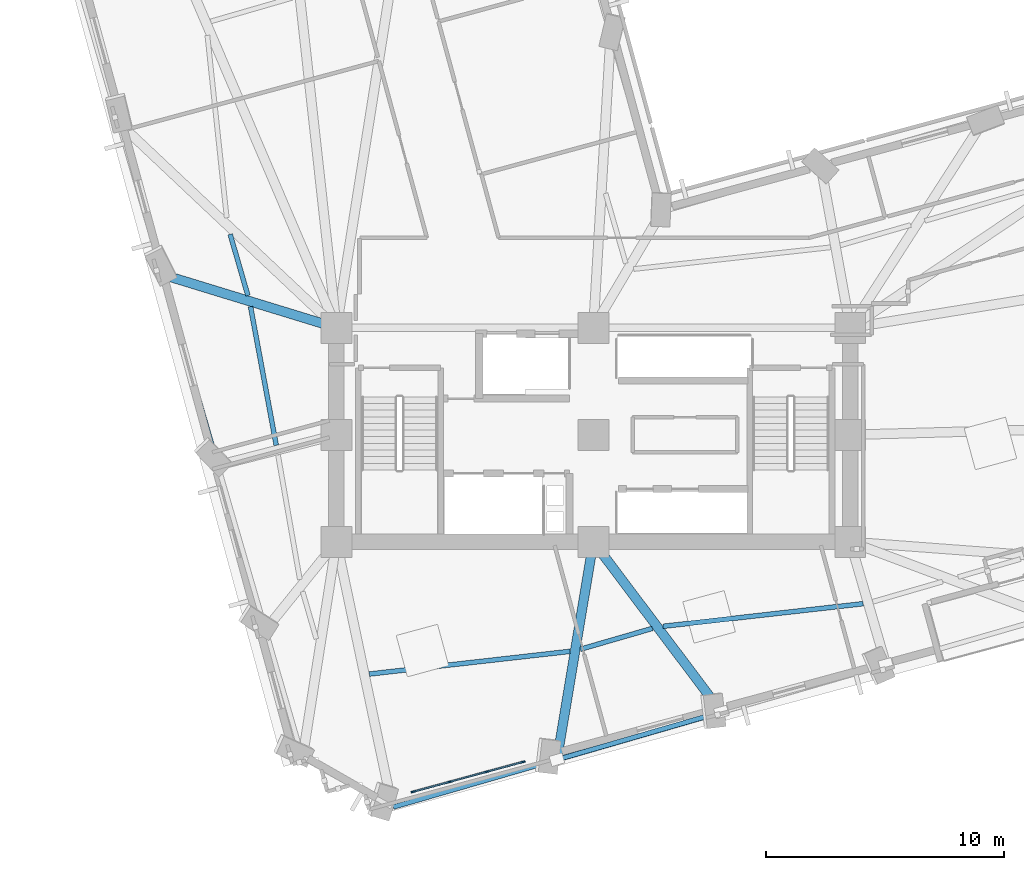
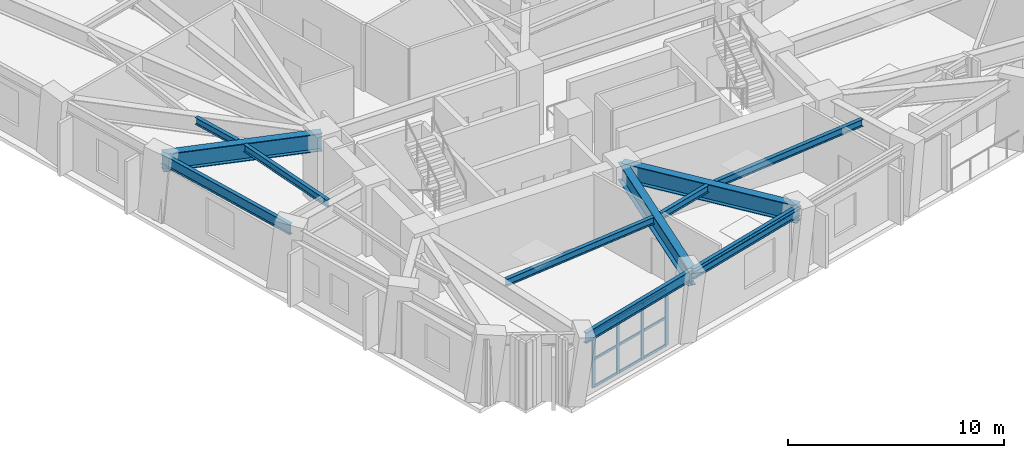
# One storey, part 2 of 15: 14 members, 11 beams, 1 element without a shape of its own.
"""IFC4 building model written with IfcOpenShell, lengths in metres."""

from ifc_helpers import new_model, si_unit, direction, frame, origin, origin_2d, place, context, subcontext, project, spatial, rectangle, hollow_circle, i_section, extrude, material, material_profile, profile_set, type_object, element, aggregate, save


model = new_model("IFC4")

# Units and contexts
model_context = context("Model", 3, precision=1e-05, world=origin(), true_north=direction((0.0, 1.0)))
body_context = subcontext(model_context, "Body", "Model", "MODEL_VIEW")
ifc_project = project(units=[si_unit("LENGTHUNIT", "METRE"), si_unit("AREAUNIT", "SQUARE_METRE"), si_unit("VOLUMEUNIT", "CUBIC_METRE"), si_unit("PLANEANGLEUNIT", "RADIAN"), si_unit("MASSUNIT", "GRAM", prefix="KILO")], contexts=[model_context])

# Site, building, storey
site_placement = place(None, origin())
site = spatial("IfcSite", under=ifc_project, at=site_placement, CompositionType="ELEMENT")
building_placement = place(site_placement, origin())
building = spatial("IfcBuilding", under=site, at=building_placement, Name="Gaonmaruhae Medical Tower", CompositionType="ELEMENT")
storey_placement = place(building_placement, frame((0.0, 0.0, 88.39990234375)))
storey = spatial("IfcBuildingStorey", under=building, at=storey_placement, Name="L20", CompositionType="ELEMENT", Elevation=88.39990234375)

# Beams
ifc_material_1 = material(Name="Steel SM420", Category="steel")
ifc_material_profile_1 = material_profile(ifc_material_1, i_section(OverallWidth=0.39990234375, OverallDepth=1.0, WebThickness=0.02197265625, FlangeThickness=0.035888671875, at=origin_2d()), Name="BH-1000x400x22x36")
ifc_profile_set_1 = profile_set([ifc_material_profile_1], Name="Steel SM420")
beam_type_1 = type_object("IfcBeamType", Name="BG-02 Refuge Floor Primary Girder (BH-1000x400x22x36)", PredefinedType="BEAM", material=ifc_profile_set_1)
beam_1_placement = place(storey_placement, frame((24.791748046875, 7.750732421875, 3.280029296875), z_axis=(-0.165062842791, -0.986283051628, 0.0), x_axis=(0.986283051628, -0.165062842791, 0.0)))
element("IfcBeam", 1, at=beam_1_placement, inside=storey, type_object=beam_type_1, Name="L20 Radial Primary Girder S02", PredefinedType="BEAM", context=body_context, shape_type="SweptSolid", body=[
    extrude(i_section(OverallWidth=0.39990234375, OverallDepth=1.0, WebThickness=0.02197265625, FlangeThickness=0.035888671875, at=origin_2d()), origin(), (0.0, 0.0, 1.0), 9.18359375),
])
beam_2_placement = place(storey_placement, frame((24.830078125, 7.760009765625, 3.280029296875), z_axis=(0.601327305373, -0.799002798376, 0.0), x_axis=(0.799002798376, 0.601327305373, 0.0)))
element("IfcBeam", 2, at=beam_2_placement, inside=storey, type_object=beam_type_1, Name="L20 Radial Primary Girder S03", PredefinedType="BEAM", context=body_context, shape_type="SweptSolid", body=[
    extrude(i_section(OverallWidth=0.39990234375, OverallDepth=1.0, WebThickness=0.02197265625, FlangeThickness=0.035888671875, at=origin_2d()), origin(), (0.0, 0.0, 1.0), 8.852783203125),
])
beam_3_placement = place(storey_placement, frame((13.9521484375, 16.814697265625, 3.280029296875), z_axis=(-0.956188123734, 0.292752919762, 0.0), x_axis=(-0.292752919762, -0.956188123734, 0.0)))
element("IfcBeam", 3, at=beam_3_placement, inside=storey, type_object=beam_type_1, Name="L20 Radial Primary Girder W04", PredefinedType="BEAM", context=body_context, shape_type="SweptSolid", body=[
    extrude(i_section(OverallWidth=0.39990234375, OverallDepth=1.0, WebThickness=0.02197265625, FlangeThickness=0.035888671875, at=origin_2d()), origin(), (0.0, 0.0, 1.0), 7.5439453125),
])

# Curtain wall, members
ifc_material_2 = material(Name="Anodised aluminium and Low-E double glazing", Category="aluminium")
curtain_wall_type = type_object("IfcCurtainWallType", Name="CW-S4 Setback Sky Garden Wintergarden Curtain Wall", PredefinedType="NOTDEFINED", material=ifc_material_2)
curtain_wall_placement = place(storey_placement, origin())
curtain_wall = element("IfcCurtainWall", 4, at=curtain_wall_placement, inside=storey, type_object=curtain_wall_type, Name="L20 Curtain Wall CW-L20-S01", PredefinedType="NOTDEFINED")
ifc_material_3 = material(Name="Anodised aluminium 6063-T6", Category="aluminium")
ifc_material_profile_2 = material_profile(ifc_material_3, rectangle(XDim=0.06494140625, YDim=0.179931640625, at=origin_2d()), Name="CWM-65x180")
ifc_profile_set_2 = profile_set([ifc_material_profile_2], Name="Anodised aluminium 6063-T6")
member_type_1 = type_object("IfcMemberType", Name="CWM-2 Tower Feature Curtain Wall Mullion (CWM-65x180)", PredefinedType="MULLION", material=ifc_profile_set_2)
member_1_placement = place(storey_placement, frame((21.8466796875, -1.449951171875, 0.0), z_axis=(0.0, 0.0, 1.0), x_axis=(0.262186152189, -0.965017316736, 0.0)))
member_1 = element("IfcMember", 5, at=member_1_placement, type_object=member_type_1, Name="CW-S4 mullion 1", PredefinedType="MULLION", context=body_context, shape_type="SweptSolid", body=[
    extrude(rectangle(XDim=0.06494140625, YDim=0.179931640625, at=origin_2d()), origin(), (0.0, 0.0, 1.0), 3.1650390625),
])
member_2_placement = place(storey_placement, frame((20.317138671875, -1.865478515625, 0.0), z_axis=(0.0, 0.0, 1.0), x_axis=(0.262186152189, -0.965017316736, 0.0)))
member_2 = element("IfcMember", 6, at=member_2_placement, type_object=member_type_1, Name="CW-S4 mullion 2", PredefinedType="MULLION", context=body_context, shape_type="SweptSolid", body=[
    extrude(rectangle(XDim=0.06494140625, YDim=0.179931640625, at=origin_2d()), origin(), (0.0, 0.0, 1.0), 3.1650390625),
])
member_3_placement = place(storey_placement, frame((18.756103515625, -2.28955078125, 0.0), z_axis=(0.0, 0.0, 1.0), x_axis=(0.262186152189, -0.965017316736, 0.0)))
member_3 = element("IfcMember", 7, at=member_3_placement, type_object=member_type_1, Name="CW-S4 mullion 3", PredefinedType="MULLION", context=body_context, shape_type="SweptSolid", body=[
    extrude(rectangle(XDim=0.06494140625, YDim=0.179931640625, at=origin_2d()), origin(), (0.0, 0.0, 1.0), 3.1650390625),
])
member_4_placement = place(storey_placement, frame((17.2265625, -2.705078125, 0.0), z_axis=(0.0, 0.0, 1.0), x_axis=(0.262186152189, -0.965017316736, 0.0)))
member_4 = element("IfcMember", 8, at=member_4_placement, type_object=member_type_1, Name="CW-S4 mullion 4", PredefinedType="MULLION", context=body_context, shape_type="SweptSolid", body=[
    extrude(rectangle(XDim=0.06494140625, YDim=0.179931640625, at=origin_2d()), origin(), (0.0, 0.0, 1.0), 3.1650390625),
])
ifc_material_profile_3 = material_profile(ifc_material_3, rectangle(XDim=0.06494140625, YDim=0.139892578125, at=origin_2d()), Name="CWT-65x140")
ifc_profile_set_3 = profile_set([ifc_material_profile_3], Name="Anodised aluminium 6063-T6")
member_type_2 = type_object("IfcMemberType", Name="CWT-2 Tower Feature Curtain Wall Transom (CWT-65x140)", PredefinedType="USERDEFINED", material=ifc_profile_set_3)
member_5_placement = place(storey_placement, frame((21.815185546875, -1.45849609375, 0.03271484375), z_axis=(-0.965030208239, -0.262138698376, 0.0), x_axis=(0.262138698376, -0.965030208239, 0.0)))
member_5 = element("IfcMember", 9, at=member_5_placement, type_object=member_type_2, Name="CW-S4 transom 1.1", ObjectType="TRANSOM", PredefinedType="USERDEFINED", context=body_context, shape_type="SweptSolid", body=[
    extrude(rectangle(XDim=0.06494140625, YDim=0.139892578125, at=origin_2d()), origin(), (0.0, 0.0, 1.0), 1.52001953125),
])
member_6_placement = place(storey_placement, frame((21.815185546875, -1.45849609375, 1.58251953125), z_axis=(-0.965030208239, -0.262138698376, 0.0), x_axis=(0.262138698376, -0.965030208239, 0.0)))
member_6 = element("IfcMember", 10, at=member_6_placement, type_object=member_type_2, Name="CW-S4 transom 1.2", ObjectType="TRANSOM", PredefinedType="USERDEFINED", context=body_context, shape_type="SweptSolid", body=[
    extrude(rectangle(XDim=0.06494140625, YDim=0.139892578125, at=origin_2d()), origin(), (0.0, 0.0, 1.0), 1.52001953125),
])
member_7_placement = place(storey_placement, frame((21.815185546875, -1.45849609375, 3.132568359375), z_axis=(-0.965030208239, -0.262138698376, 0.0), x_axis=(0.262138698376, -0.965030208239, 0.0)))
member_7 = element("IfcMember", 11, at=member_7_placement, type_object=member_type_2, Name="CW-S4 transom 1.3", ObjectType="TRANSOM", PredefinedType="USERDEFINED", context=body_context, shape_type="SweptSolid", body=[
    extrude(rectangle(XDim=0.06494140625, YDim=0.139892578125, at=origin_2d()), origin(), (0.0, 0.0, 1.0), 1.52001953125),
])
member_8_placement = place(storey_placement, frame((20.28564453125, -1.8740234375, 0.03271484375), z_axis=(-0.965031850243, -0.262132653472, 0.0), x_axis=(0.262132653472, -0.965031850243, 0.0)))
member_8 = element("IfcMember", 12, at=member_8_placement, type_object=member_type_2, Name="CW-S4 transom 2.1", ObjectType="TRANSOM", PredefinedType="USERDEFINED", context=body_context, shape_type="SweptSolid", body=[
    extrude(rectangle(XDim=0.06494140625, YDim=0.139892578125, at=origin_2d()), origin(), (0.0, 0.0, 1.0), 1.552490234375),
])
member_9_placement = place(storey_placement, frame((20.28564453125, -1.8740234375, 1.58251953125), z_axis=(-0.965031850243, -0.262132653472, 0.0), x_axis=(0.262132653472, -0.965031850243, 0.0)))
member_9 = element("IfcMember", 13, at=member_9_placement, type_object=member_type_2, Name="CW-S4 transom 2.2", ObjectType="TRANSOM", PredefinedType="USERDEFINED", context=body_context, shape_type="SweptSolid", body=[
    extrude(rectangle(XDim=0.06494140625, YDim=0.139892578125, at=origin_2d()), origin(), (0.0, 0.0, 1.0), 1.552490234375),
])
member_10_placement = place(storey_placement, frame((20.28564453125, -1.8740234375, 3.132568359375), z_axis=(-0.965031850243, -0.262132653472, 0.0), x_axis=(0.262132653472, -0.965031850243, 0.0)))
member_10 = element("IfcMember", 14, at=member_10_placement, type_object=member_type_2, Name="CW-S4 transom 2.3", ObjectType="TRANSOM", PredefinedType="USERDEFINED", context=body_context, shape_type="SweptSolid", body=[
    extrude(rectangle(XDim=0.06494140625, YDim=0.139892578125, at=origin_2d()), origin(), (0.0, 0.0, 1.0), 1.552490234375),
])
member_11_placement = place(storey_placement, frame((18.724609375, -2.298095703125, 0.03271484375), z_axis=(-0.96498956497, -0.262288275565, 0.0), x_axis=(0.262288275565, -0.96498956497, 0.0)))
member_11 = element("IfcMember", 15, at=member_11_placement, type_object=member_type_2, Name="CW-S4 transom 3.1", ObjectType="TRANSOM", PredefinedType="USERDEFINED", context=body_context, shape_type="SweptSolid", body=[
    extrude(rectangle(XDim=0.06494140625, YDim=0.139892578125, at=origin_2d()), origin(), (0.0, 0.0, 1.0), 1.52001953125),
])
member_12_placement = place(storey_placement, frame((18.724609375, -2.298095703125, 1.58251953125), z_axis=(-0.96498956497, -0.262288275565, 0.0), x_axis=(0.262288275565, -0.96498956497, 0.0)))
member_12 = element("IfcMember", 16, at=member_12_placement, type_object=member_type_2, Name="CW-S4 transom 3.2", ObjectType="TRANSOM", PredefinedType="USERDEFINED", context=body_context, shape_type="SweptSolid", body=[
    extrude(rectangle(XDim=0.06494140625, YDim=0.139892578125, at=origin_2d()), origin(), (0.0, 0.0, 1.0), 1.52001953125),
])
member_13_placement = place(storey_placement, frame((18.724609375, -2.298095703125, 3.132568359375), z_axis=(-0.96498956497, -0.262288275565, 0.0), x_axis=(0.262288275565, -0.96498956497, 0.0)))
member_13 = element("IfcMember", 17, at=member_13_placement, type_object=member_type_2, Name="CW-S4 transom 3.3", ObjectType="TRANSOM", PredefinedType="USERDEFINED", context=body_context, shape_type="SweptSolid", body=[
    extrude(rectangle(XDim=0.06494140625, YDim=0.139892578125, at=origin_2d()), origin(), (0.0, 0.0, 1.0), 1.52001953125),
])
aggregate(curtain_wall, [member_1, member_2, member_3, member_4, member_5, member_6, member_7, member_8, member_9, member_10, member_11, member_12, member_13])

# Beams
ifc_material_4 = material(Name="Steel SM355", Category="steel")
ifc_material_profile_4 = material_profile(ifc_material_4, i_section(OverallWidth=0.199951171875, OverallDepth=0.39990234375, WebThickness=0.008056640625, FlangeThickness=0.012939453125, FilletRadius=0.012939453125, at=origin_2d()), Name="H-400x200x8x13")
ifc_profile_set_4 = profile_set([ifc_material_profile_4], Name="Steel SM355")
beam_type_2 = type_object("IfcBeamType", Name="FJ-01 Lower Zone Ward Floor Joist (H-400x200x8x13)", PredefinedType="JOIST", material=ifc_profile_set_4)
beam_4_placement = place(storey_placement, frame((15.381591796875, 2.243896484375, 3.580078125), z_axis=(0.99367374448, 0.112305340614, 0.0), x_axis=(-0.112305340614, 0.99367374448, 0.0)))
element("IfcBeam", 18, at=beam_4_placement, inside=storey, type_object=beam_type_2, Name="L20 Secondary Floor Joist FJ01", PredefinedType="JOIST", context=body_context, shape_type="SweptSolid", body=[
    extrude(i_section(OverallWidth=0.199951171875, OverallDepth=0.39990234375, WebThickness=0.008056640625, FlangeThickness=0.012939453125, FilletRadius=0.012939453125, at=origin_2d()), origin(), (0.0, 0.0, 1.0), 8.493408203125),
])
beam_5_placement = place(storey_placement, frame((24.252685546875, 3.285400390625, 3.580078125), z_axis=(0.960544664258, 0.278125777242, 0.0), x_axis=(-0.278125777242, 0.960544664258, 0.0)))
element("IfcBeam", 19, at=beam_5_placement, inside=storey, type_object=beam_type_2, Name="L20 Secondary Floor Joist FJ02", PredefinedType="JOIST", context=body_context, shape_type="SweptSolid", body=[
    extrude(i_section(OverallWidth=0.199951171875, OverallDepth=0.39990234375, WebThickness=0.008056640625, FlangeThickness=0.012939453125, FilletRadius=0.012939453125, at=origin_2d()), origin(), (0.0, 0.0, 1.0), 3.152099609375),
])
beam_6_placement = place(storey_placement, frame((27.728515625, 4.25, 3.580078125), z_axis=(0.993670226477, 0.112336463419, 0.0), x_axis=(-0.112336463419, 0.993670226477, 0.0)))
element("IfcBeam", 20, at=beam_6_placement, inside=storey, type_object=beam_type_2, Name="L20 Secondary Floor Joist FJ03", PredefinedType="JOIST", context=body_context, shape_type="SweptSolid", body=[
    extrude(i_section(OverallWidth=0.199951171875, OverallDepth=0.39990234375, WebThickness=0.008056640625, FlangeThickness=0.012939453125, FilletRadius=0.012939453125, at=origin_2d()), origin(), (0.0, 0.0, 1.0), 8.46728515625),
])
beam_7_placement = place(storey_placement, frame((9.53173828125, 20.72900390625, 3.580078125), z_axis=(0.278135472731, -0.960541856875, 0.0), x_axis=(0.960541856875, 0.278135472731, 0.0)))
element("IfcBeam", 21, at=beam_7_placement, inside=storey, type_object=beam_type_2, Name="L20 Secondary Floor Joist FJ17", PredefinedType="JOIST", context=body_context, shape_type="SweptSolid", body=[
    extrude(i_section(OverallWidth=0.199951171875, OverallDepth=0.39990234375, WebThickness=0.008056640625, FlangeThickness=0.012939453125, FilletRadius=0.012939453125, at=origin_2d()), origin(), (0.0, 0.0, 1.0), 2.6806640625),
])
beam_8_placement = place(storey_placement, frame((10.3876953125, 17.691162109375, 3.580078125), z_axis=(0.182373833998, -0.983229263536, 0.0), x_axis=(0.983229263536, 0.182373833998, 0.0)))
element("IfcBeam", 22, at=beam_8_placement, inside=storey, type_object=beam_type_2, Name="L20 Secondary Floor Joist FJ18", PredefinedType="JOIST", context=body_context, shape_type="SweptSolid", body=[
    extrude(i_section(OverallWidth=0.199951171875, OverallDepth=0.39990234375, WebThickness=0.008056640625, FlangeThickness=0.012939453125, FilletRadius=0.012939453125, at=origin_2d()), origin(), (0.0, 0.0, 1.0), 5.928955078125),
])

# Member
ifc_material_profile_5 = material_profile(ifc_material_4, hollow_circle(Radius=0.108154296875, WallThickness=0.00830078125, at=origin_2d()), Name="CHS-216.3x8.2")
ifc_profile_set_5 = profile_set([ifc_material_profile_5], Name="Steel SM355")
member_type_3 = type_object("IfcMemberType", Name="PR-03 Sky Garden Pergola Purlin (CHS-216.3x8.2)", PredefinedType="PURLIN", material=ifc_profile_set_5)
member_14_placement = place(storey_placement, frame((23.267578125, -1.356201171875, 3.625), z_axis=(0.960538997545, 0.278145347249, 0.0), x_axis=(-0.267168837793, 0.922633041205, 0.278152985584)))
element("IfcMember", 23, at=member_14_placement, inside=storey, type_object=member_type_3, Name="L20 Sky Garden Pergola Purlin 1", PredefinedType="PURLIN", context=body_context, shape_type="SweptSolid", body=[
    extrude(hollow_circle(Radius=0.108154296875, WallThickness=0.00830078125, at=origin_2d()), origin(), (0.0, 0.0, 1.0), 7.2001953125),
])

# Beams
ifc_material_profile_6 = material_profile(ifc_material_4, i_section(OverallWidth=0.199951171875, OverallDepth=0.60009765625, WebThickness=0.010986328125, FlangeThickness=0.01708984375, FilletRadius=0.012939453125, at=origin_2d()), Name="H-600x200x11x17")
ifc_profile_set_6 = profile_set([ifc_material_profile_6], Name="Steel SM355")
beam_type_3 = type_object("IfcBeamType", Name="SP-01 Lower Perimeter Spandrel Beam (H-600x200x11x17)", PredefinedType="SPANDREL", material=ifc_profile_set_6)
beam_9_placement = place(storey_placement, frame((16.39013671875, -3.34765625, 3.47998046875), z_axis=(0.960537025817, 0.278152156264, 0.0), x_axis=(-0.278152156264, 0.960537025817, 0.0)))
element("IfcBeam", 24, at=beam_9_placement, inside=storey, type_object=beam_type_3, Name="L20 Perimeter Spandrel Beam S01-S02", PredefinedType="SPANDREL", context=body_context, shape_type="SweptSolid", body=[
    extrude(i_section(OverallWidth=0.199951171875, OverallDepth=0.60009765625, WebThickness=0.010986328125, FlangeThickness=0.01708984375, FilletRadius=0.012939453125, at=origin_2d()), origin(), (0.0, 0.0, 1.0), 7.1201171875),
])
beam_10_placement = place(storey_placement, frame((23.30615234375, -1.344970703125, 3.47998046875), z_axis=(0.960534372795, 0.278161317725, 0.0), x_axis=(-0.278161317725, 0.960534372795, 0.0)))
element("IfcBeam", 25, at=beam_10_placement, inside=storey, type_object=beam_type_3, Name="L20 Perimeter Spandrel Beam S02-S03", PredefinedType="SPANDREL", context=body_context, shape_type="SweptSolid", body=[
    extrude(i_section(OverallWidth=0.199951171875, OverallDepth=0.60009765625, WebThickness=0.010986328125, FlangeThickness=0.01708984375, FilletRadius=0.012939453125, at=origin_2d()), origin(), (0.0, 0.0, 1.0), 7.119873046875),
])
beam_11_placement = place(storey_placement, frame((6.701904296875, 18.999267578125, 3.47998046875), z_axis=(0.278150544171, -0.960537492645, 0.0), x_axis=(0.960537492645, 0.278150544171, 0.0)))
element("IfcBeam", 26, at=beam_11_placement, inside=storey, type_object=beam_type_3, Name="L20 Perimeter Spandrel Beam W04-W05", PredefinedType="SPANDREL", context=body_context, shape_type="SweptSolid", body=[
    extrude(i_section(OverallWidth=0.199951171875, OverallDepth=0.60009765625, WebThickness=0.010986328125, FlangeThickness=0.01708984375, FilletRadius=0.012939453125, at=origin_2d()), origin(), (0.0, 0.0, 1.0), 8.27001953125),
])

save(model, "model.ifc")
